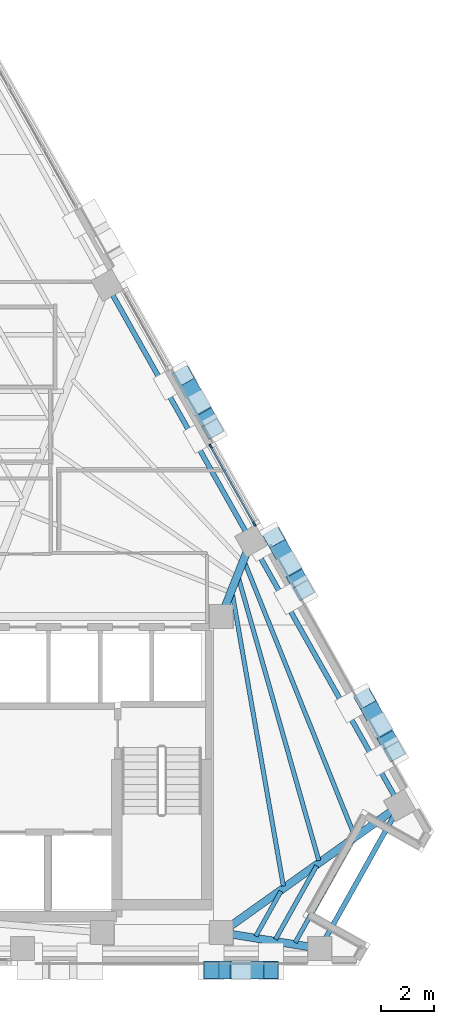
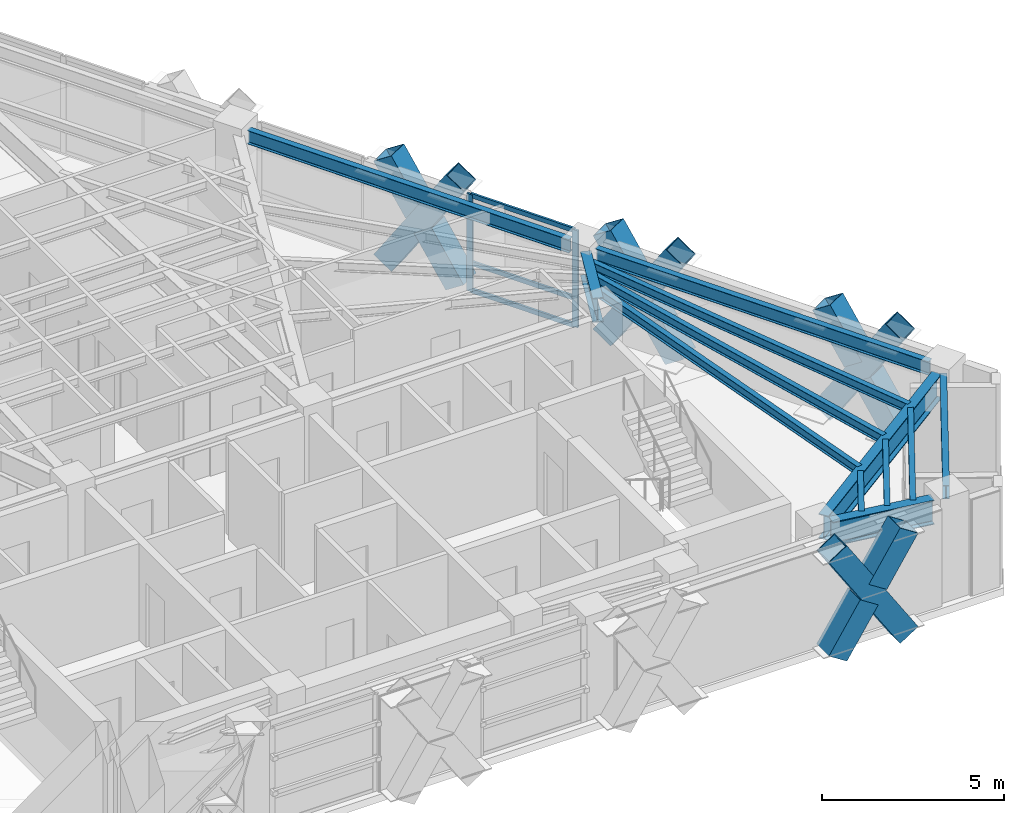
# One storey, part 5 of 15: 17 members, 12 beams, 1 element without a shape of its own.
"""IFC4 building model written with IfcOpenShell, lengths in metres."""

from ifc_helpers import new_model, si_unit, direction, frame, origin, origin_2d, place, context, subcontext, project, spatial, rectangle, hollow_rectangle, i_section, extrude, material, material_profile, profile_set, type_object, element, aggregate, save


model = new_model("IFC4")

# Units and contexts
model_context = context("Model", 3, precision=1e-05, world=origin(), true_north=direction((0.0, 1.0)))
body_context = subcontext(model_context, "Body", "Model", "MODEL_VIEW")
ifc_project = project(units=[si_unit("LENGTHUNIT", "METRE"), si_unit("AREAUNIT", "SQUARE_METRE"), si_unit("VOLUMEUNIT", "CUBIC_METRE"), si_unit("PLANEANGLEUNIT", "RADIAN"), si_unit("MASSUNIT", "GRAM", prefix="KILO")], contexts=[model_context])

# Site, building, storey
site_placement = place(None, origin())
site = spatial("IfcSite", under=ifc_project, at=site_placement, CompositionType="ELEMENT")
building_placement = place(site_placement, origin())
building = spatial("IfcBuilding", under=site, at=building_placement, Name="Quenlor Broadcast Tower", CompositionType="ELEMENT")
storey_placement = place(building_placement, frame((0.0, 0.0, 183.39990234375)))
storey = spatial("IfcBuildingStorey", under=building, at=storey_placement, Name="L50", CompositionType="ELEMENT", Elevation=183.39990234375)

# Curtain wall, members
ifc_material_1 = material(Name="Architectural Terracotta and Low-E Glazing", Category="masonry")
curtain_wall_type = type_object("IfcCurtainWallType", Name="Unitised Terracotta Curtain Wall System Z4", PredefinedType="NOTDEFINED", material=ifc_material_1)
curtain_wall_placement = place(storey_placement, origin())
curtain_wall = element("IfcCurtainWall", 1, at=curtain_wall_placement, inside=storey, type_object=curtain_wall_type, Name="L50 Curtain Wall CW4 (L50-NE-G2)", PredefinedType="NOTDEFINED")
ifc_material_2 = material(Name="Aluminium 6063-T6", Category="aluminium")
ifc_material_profile_1 = material_profile(ifc_material_2, rectangle(XDim=0.068115234375, YDim=0.179931640625, at=origin_2d()))
ifc_profile_set_1 = profile_set([ifc_material_profile_1], Name="Aluminium 6063-T6 MULL68x180")
member_type_1 = type_object("IfcMemberType", Name="CW4 Aluminium Mullion MULL_CW4", PredefinedType="MULLION", material=ifc_profile_set_1)
member_1_placement = place(storey_placement, frame((12.55126953125, 1.627685546875, 0.0), z_axis=(0.0, 0.0, 1.0), x_axis=(0.871577871382, 0.490257089819, 0.0)))
member_1 = element("IfcMember", 2, at=member_1_placement, type_object=member_type_1, Name="CW4 mullion 1", PredefinedType="MULLION", context=body_context, shape_type="SweptSolid", body=[
    extrude(rectangle(XDim=0.068115234375, YDim=0.179931640625, at=origin_2d()), origin(), (0.0, 0.0, 1.0), 3.25),
])
member_2_placement = place(storey_placement, frame((14.20068359375, -1.3046875, 0.0), z_axis=(0.0, 0.0, 1.0), x_axis=(0.871577871382, 0.490257089819, 0.0)))
member_2 = element("IfcMember", 3, at=member_2_placement, type_object=member_type_1, Name="CW4 mullion 2", PredefinedType="MULLION", context=body_context, shape_type="SweptSolid", body=[
    extrude(rectangle(XDim=0.068115234375, YDim=0.179931640625, at=origin_2d()), origin(), (0.0, 0.0, 1.0), 3.25),
])
ifc_material_3 = material(Name="Aluminium 6063-T6", Category="aluminium")
ifc_material_profile_2 = material_profile(ifc_material_3, rectangle(XDim=0.068115234375, YDim=0.14990234375, at=origin_2d()))
ifc_profile_set_2 = profile_set([ifc_material_profile_2], Name="Aluminium 6063-T6 TRAN68x150")
member_type_2 = type_object("IfcMemberType", Name="CW4 Aluminium Transom TRAN_CW4", PredefinedType="USERDEFINED", material=ifc_profile_set_2)
member_3_placement = place(storey_placement, frame((12.568115234375, 1.597900390625, 0.0341796875), z_axis=(0.490233108043, -0.871591360546, 0.0), x_axis=(0.871591360546, 0.490233108043, 0.0)))
member_3 = element("IfcMember", 4, at=member_3_placement, type_object=member_type_2, Name="CW4 transom 1.1", ObjectType="TRANSOM", PredefinedType="USERDEFINED", context=body_context, shape_type="SweptSolid", body=[
    extrude(rectangle(XDim=0.068115234375, YDim=0.14990234375, at=origin_2d()), origin(), (0.0, 0.0, 1.0), 3.29638671875),
])
member_4_placement = place(storey_placement, frame((12.568115234375, 1.597900390625, 0.9501953125), z_axis=(0.490233108043, -0.871591360546, 0.0), x_axis=(0.871591360546, 0.490233108043, 0.0)))
member_4 = element("IfcMember", 5, at=member_4_placement, type_object=member_type_2, Name="CW4 transom 1.2", ObjectType="TRANSOM", PredefinedType="USERDEFINED", context=body_context, shape_type="SweptSolid", body=[
    extrude(rectangle(XDim=0.068115234375, YDim=0.14990234375, at=origin_2d()), origin(), (0.0, 0.0, 1.0), 3.29638671875),
])
member_5_placement = place(storey_placement, frame((12.568115234375, 1.597900390625, 3.216064453125), z_axis=(0.490233108043, -0.871591360546, 0.0), x_axis=(0.871591360546, 0.490233108043, 0.0)))
member_5 = element("IfcMember", 6, at=member_5_placement, type_object=member_type_2, Name="CW4 transom 1.3", ObjectType="TRANSOM", PredefinedType="USERDEFINED", context=body_context, shape_type="SweptSolid", body=[
    extrude(rectangle(XDim=0.068115234375, YDim=0.14990234375, at=origin_2d()), origin(), (0.0, 0.0, 1.0), 3.29638671875),
])
aggregate(curtain_wall, [member_1, member_2, member_3, member_4, member_5])

# Members
ifc_material_4 = material(Name="Steel S355", Category="steel")
ifc_material_profile_3 = material_profile(ifc_material_4, hollow_rectangle(XDim=0.679931640625, YDim=0.679931640625, WallThickness=0.02490234375, at=origin_2d()))
ifc_profile_set_3 = profile_set([ifc_material_profile_3], Name="Steel S355 RHS680x680x25")
member_type_3 = type_object("IfcMemberType", Name="Perimeter Diagonal Lattice Brace Z3-Z4 Steel S355 RHS680x25", PredefinedType="BRACE", material=ifc_profile_set_3)
member_6_placement = place(storey_placement, frame((14.828857421875, -18.169921875, -0.119873046875), z_axis=(-0.541794306908, 0.0, 0.840511111766), x_axis=(0.0, -1.0, 0.0)))
element("IfcMember", 7, at=member_6_placement, inside=storey, type_object=member_type_3, Name="L50 Perimeter Diamond Lattice S-C1XA", PredefinedType="BRACE", context=body_context, shape_type="SweptSolid", body=[
    extrude(hollow_rectangle(XDim=0.679931640625, YDim=0.679931640625, WallThickness=0.02490234375, at=origin_2d()), origin(), (0.0, 0.0, 1.0), 4.1640625),
])
member_7_placement = place(storey_placement, frame((12.57275390625, -18.169921875, -0.119873046875), z_axis=(0.54184151587, 0.0, 0.840480678945), x_axis=(0.0, 1.0, 0.0)))
element("IfcMember", 8, at=member_7_placement, inside=storey, type_object=member_type_3, Name="L50 Perimeter Diamond Lattice S-C1XB1", PredefinedType="BRACE", context=body_context, shape_type="SweptSolid", body=[
    extrude(hollow_rectangle(XDim=0.679931640625, YDim=0.679931640625, WallThickness=0.02490234375, at=origin_2d()), origin(), (0.0, 0.0, 1.0), 1.83203125),
])
member_8_placement = place(storey_placement, frame((13.836181640625, -18.169921875, 1.840087890625), z_axis=(0.541780832962, 0.0, 0.840519796932), x_axis=(0.0, 1.0, 0.0)))
element("IfcMember", 9, at=member_8_placement, inside=storey, type_object=member_type_3, Name="L50 Perimeter Diamond Lattice S-C1XB2", PredefinedType="BRACE", context=body_context, shape_type="SweptSolid", body=[
    extrude(hollow_rectangle(XDim=0.679931640625, YDim=0.679931640625, WallThickness=0.02490234375, at=origin_2d()), origin(), (0.0, 0.0, 1.0), 1.832275390625),
])
member_9_placement = place(storey_placement, frame((11.508544921875, 4.287109375, -0.119873046875), z_axis=(0.269493020061, -0.479144022478, 0.835340959047), x_axis=(0.871595351467, 0.490226012469, 0.0)))
element("IfcMember", 10, at=member_9_placement, inside=storey, type_object=member_type_3, Name="L50 Perimeter Diamond Lattice NE-C3XA", PredefinedType="BRACE", context=body_context, shape_type="SweptSolid", body=[
    extrude(hollow_rectangle(XDim=0.679931640625, YDim=0.679931640625, WallThickness=0.02490234375, at=origin_2d()), origin(), (0.0, 0.0, 1.0), 4.18994140625),
])
for number, where, z_axis, x_axis, name in (
    (11, (12.6376953125, 2.279541015625, -0.119873046875), (-0.269535527865, 0.479130165145, 0.835335192642), (-0.871556252289, -0.490295522207, 0.0), "L50 Perimeter Diamond Lattice NE-C3XB1"),
    (12, (12.005859375, 3.403076171875, 1.8388671875), (-0.269535527865, 0.479130165145, 0.835335192642), (-0.871556252289, -0.490295522207, 0.0), "L50 Perimeter Diamond Lattice NE-C3XB2"),
):
    element("IfcMember", number, at=place(storey_placement, frame(where, z_axis=z_axis, x_axis=x_axis)), inside=storey, type_object=member_type_3, Name=name, PredefinedType="BRACE", context=body_context, shape_type="SweptSolid", body=[
        extrude(hollow_rectangle(XDim=0.679931640625, YDim=0.679931640625, WallThickness=0.02490234375, at=origin_2d()), origin(), (0.0, 0.0, 1.0), 1.844970703125),
    ])
member_10_placement = place(storey_placement, frame((14.9375, -1.80908203125, -0.119873046875), z_axis=(0.269547055694, -0.479136497832, 0.835327840559), x_axis=(0.871550060774, 0.49030652817, 0.0)))
element("IfcMember", 13, at=member_10_placement, inside=storey, type_object=member_type_3, Name="L50 Perimeter Diamond Lattice NE-C4XA", PredefinedType="BRACE", context=body_context, shape_type="SweptSolid", body=[
    extrude(hollow_rectangle(XDim=0.679931640625, YDim=0.679931640625, WallThickness=0.02490234375, at=origin_2d()), origin(), (0.0, 0.0, 1.0), 4.18994140625),
])
for number, where, z_axis, x_axis, name in (
    (14, (16.06689453125, -3.816650390625, -0.119873046875), (-0.269535527865, 0.479130165145, 0.835335192642), (-0.871556252289, -0.490295522207, 0.0), "L50 Perimeter Diamond Lattice NE-C4XB1"),
    (15, (15.434814453125, -2.693115234375, 1.8388671875), (-0.269535527865, 0.479130165145, 0.835335192642), (-0.871556252289, -0.490295522207, 0.0), "L50 Perimeter Diamond Lattice NE-C4XB2"),
):
    element("IfcMember", number, at=place(storey_placement, frame(where, z_axis=z_axis, x_axis=x_axis)), inside=storey, type_object=member_type_3, Name=name, PredefinedType="BRACE", context=body_context, shape_type="SweptSolid", body=[
        extrude(hollow_rectangle(XDim=0.679931640625, YDim=0.679931640625, WallThickness=0.02490234375, at=origin_2d()), origin(), (0.0, 0.0, 1.0), 1.844970703125),
    ])
member_11_placement = place(storey_placement, frame((18.36669921875, -7.9052734375, -0.119873046875), z_axis=(0.269547055694, -0.479136497832, 0.835327840559), x_axis=(0.871550060774, 0.49030652817, 0.0)))
element("IfcMember", 16, at=member_11_placement, inside=storey, type_object=member_type_3, Name="L50 Perimeter Diamond Lattice NE-C5XA", PredefinedType="BRACE", context=body_context, shape_type="SweptSolid", body=[
    extrude(hollow_rectangle(XDim=0.679931640625, YDim=0.679931640625, WallThickness=0.02490234375, at=origin_2d()), origin(), (0.0, 0.0, 1.0), 4.18994140625),
])
for number, where, z_axis, x_axis, name in (
    (17, (19.49609375, -9.912841796875, -0.119873046875), (-0.269535527865, 0.479130165145, 0.835335192642), (-0.871556252289, -0.490295522207, 0.0), "L50 Perimeter Diamond Lattice NE-C5XB1"),
    (18, (18.864013671875, -8.789306640625, 1.8388671875), (-0.269535527865, 0.479130165145, 0.835335192642), (-0.871556252289, -0.490295522207, 0.0), "L50 Perimeter Diamond Lattice NE-C5XB2"),
):
    element("IfcMember", number, at=place(storey_placement, frame(where, z_axis=z_axis, x_axis=x_axis)), inside=storey, type_object=member_type_3, Name=name, PredefinedType="BRACE", context=body_context, shape_type="SweptSolid", body=[
        extrude(hollow_rectangle(XDim=0.679931640625, YDim=0.679931640625, WallThickness=0.02490234375, at=origin_2d()), origin(), (0.0, 0.0, 1.0), 1.844970703125),
    ])

# Beams
ifc_material_5 = material(Name="Steel S355", Category="steel")
ifc_material_profile_4 = material_profile(ifc_material_5, i_section(OverallWidth=0.18994140625, OverallDepth=0.453857421875, WebThickness=0.008544921875, FlangeThickness=0.0126953125, FilletRadius=0.011474609375, at=origin_2d()))
ifc_profile_set_4 = profile_set([ifc_material_profile_4], Name="Steel S355 460UB67.1")
beam_type_1 = type_object("IfcBeamType", Name="Perimeter Spandrel Beam Z4 Steel S355 460UB67.1", PredefinedType="SPANDREL", material=ifc_profile_set_4)
beam_1_placement = place(storey_placement, frame((16.875732421875, -16.991943359375, 3.023193359375), z_axis=(0.487647250206, 0.8730407547, 0.0), x_axis=(-0.8730407547, 0.487647250206, 0.0)))
element("IfcBeam", 19, at=beam_1_placement, inside=storey, type_object=beam_type_1, Name="L50 Spandrel Beam S4-NE1", PredefinedType="SPANDREL", context=body_context, shape_type="SweptSolid", body=[
    extrude(i_section(OverallWidth=0.18994140625, OverallDepth=0.453857421875, WebThickness=0.008544921875, FlangeThickness=0.0126953125, FilletRadius=0.011474609375, at=origin_2d()), origin(), (0.0, 0.0, 1.0), 5.37451171875),
])
beam_2_placement = place(storey_placement, frame((19.49560546875, -11.58447265625, 3.023193359375), z_axis=(-0.490272131974, 0.871569410093, 0.0), x_axis=(-0.871569410093, -0.490272131974, 0.0)))
element("IfcBeam", 20, at=beam_2_placement, inside=storey, type_object=beam_type_1, Name="L50 Spandrel Beam NE1-NE2", PredefinedType="SPANDREL", context=body_context, shape_type="SweptSolid", body=[
    extrude(i_section(OverallWidth=0.18994140625, OverallDepth=0.453857421875, WebThickness=0.008544921875, FlangeThickness=0.0126953125, FilletRadius=0.011474609375, at=origin_2d()), origin(), (0.0, 0.0, 1.0), 10.6416015625),
])
beam_3_placement = place(storey_placement, frame((13.87646484375, -1.594970703125, 3.023193359375), z_axis=(-0.490263496537, 0.871574267612, 0.0), x_axis=(-0.871574267612, -0.490263496537, 0.0)))
element("IfcBeam", 21, at=beam_3_placement, inside=storey, type_object=beam_type_1, Name="L50 Spandrel Beam NE2-NE3", PredefinedType="SPANDREL", context=body_context, shape_type="SweptSolid", body=[
    extrude(i_section(OverallWidth=0.18994140625, OverallDepth=0.453857421875, WebThickness=0.008544921875, FlangeThickness=0.0126953125, FilletRadius=0.011474609375, at=origin_2d()), origin(), (0.0, 0.0, 1.0), 10.271728515625),
])
ifc_material_6 = material(Name="Steel S355", Category="steel")
ifc_material_profile_5 = material_profile(ifc_material_6, i_section(OverallWidth=0.300048828125, OverallDepth=0.81591796875, WebThickness=0.013916015625, FlangeThickness=0.028076171875, FilletRadius=0.013916015625, at=origin_2d()))
ifc_profile_set_5 = profile_set([ifc_material_profile_5], Name="Steel S355 800WB192")
beam_type_2 = type_object("IfcBeamType", Name="Sky Lobby Primary Girder Steel S355 800WB192", PredefinedType="BEAM", material=ifc_profile_set_5)
beam_4_placement = place(storey_placement, frame((16.27099609375, -17.284912109375, 2.842041015625), z_axis=(-0.987268490875, 0.159062650942, 0.0), x_axis=(-0.159062650942, -0.987268490875, 0.0)))
element("IfcBeam", 22, at=beam_4_placement, inside=storey, type_object=beam_type_2, Name="L50 Primary Radial Beam S4", PredefinedType="BEAM", context=body_context, shape_type="SweptSolid", body=[
    extrude(i_section(OverallWidth=0.300048828125, OverallDepth=0.81591796875, WebThickness=0.013916015625, FlangeThickness=0.028076171875, FilletRadius=0.013916015625, at=origin_2d()), origin(), (0.0, 0.0, 1.0), 2.98388671875),
])
beam_5_placement = place(storey_placement, frame((19.362548828125, -12.1796875, 2.842041015625), z_axis=(-0.814329531787, -0.580402802938, 0.0), x_axis=(0.580402802938, -0.814329531787, 0.0)))
element("IfcBeam", 23, at=beam_5_placement, inside=storey, type_object=beam_type_2, Name="L50 Primary Radial Beam NE1", PredefinedType="BEAM", context=body_context, shape_type="SweptSolid", body=[
    extrude(i_section(OverallWidth=0.300048828125, OverallDepth=0.81591796875, WebThickness=0.013916015625, FlangeThickness=0.028076171875, FilletRadius=0.013916015625, at=origin_2d()), origin(), (0.0, 0.0, 1.0), 7.49462890625),
])
beam_6_placement = place(storey_placement, frame((13.926513671875, -2.33349609375, 2.842041015625), z_axis=(-0.368110359783, -0.92978210513, 0.0), x_axis=(0.92978210513, -0.368110359783, 0.0)))
element("IfcBeam", 24, at=beam_6_placement, inside=storey, type_object=beam_type_2, Name="L50 Primary Radial Beam NE2", PredefinedType="BEAM", context=body_context, shape_type="SweptSolid", body=[
    extrude(i_section(OverallWidth=0.300048828125, OverallDepth=0.81591796875, WebThickness=0.013916015625, FlangeThickness=0.028076171875, FilletRadius=0.013916015625, at=origin_2d()), origin(), (0.0, 0.0, 1.0), 2.27294921875),
])
ifc_material_7 = material(Name="Steel S355", Category="steel")
ifc_material_profile_6 = material_profile(ifc_material_7, i_section(OverallWidth=0.166015625, OverallDepth=0.30712890625, WebThickness=0.006591796875, FlangeThickness=0.01171875, FilletRadius=0.011474609375, at=origin_2d()))
ifc_profile_set_6 = profile_set([ifc_material_profile_6], Name="Steel S355 310UB46.2")
beam_type_3 = type_object("IfcBeamType", Name="Tower Composite Joist Z4-Z5 Steel S355 310UB46.2", PredefinedType="JOIST", material=ifc_profile_set_6)
beam_7_placement = place(storey_placement, frame((15.297607421875, -14.98828125, 3.096435546875), z_axis=(-0.172003691938, 0.985096304916, 0.0), x_axis=(-0.985096304916, -0.172003691938, 0.0)))
element("IfcBeam", 25, at=beam_7_placement, inside=storey, type_object=beam_type_3, Name="L50 Secondary Composite Joist 16", PredefinedType="JOIST", context=body_context, shape_type="SweptSolid", body=[
    extrude(i_section(OverallWidth=0.166015625, OverallDepth=0.30712890625, WebThickness=0.006591796875, FlangeThickness=0.01171875, FilletRadius=0.011474609375, at=origin_2d()), origin(), (0.0, 0.0, 1.0), 11.274169921875),
])
beam_8_placement = place(storey_placement, frame((16.638671875, -14.028564453125, 3.096435546875), z_axis=(-0.273447576454, 0.961886907558, 0.0), x_axis=(-0.961886907558, -0.273447576454, 0.0)))
element("IfcBeam", 26, at=beam_8_placement, inside=storey, type_object=beam_type_3, Name="L50 Secondary Composite Joist 17", PredefinedType="JOIST", context=body_context, shape_type="SweptSolid", body=[
    extrude(i_section(OverallWidth=0.166015625, OverallDepth=0.30712890625, WebThickness=0.006591796875, FlangeThickness=0.01171875, FilletRadius=0.011474609375, at=origin_2d()), origin(), (0.0, 0.0, 1.0), 11.142333984375),
])
beam_9_placement = place(storey_placement, frame((17.97998046875, -13.069580078125, 3.096435546875), z_axis=(-0.373094895103, 0.927793187757, 0.0), x_axis=(-0.927793187757, -0.373094895103, 0.0)))
element("IfcBeam", 27, at=beam_9_placement, inside=storey, type_object=beam_type_3, Name="L50 Secondary Composite Joist 18", PredefinedType="JOIST", context=body_context, shape_type="SweptSolid", body=[
    extrude(i_section(OverallWidth=0.166015625, OverallDepth=0.30712890625, WebThickness=0.006591796875, FlangeThickness=0.01171875, FilletRadius=0.011474609375, at=origin_2d()), origin(), (0.0, 0.0, 1.0), 11.13525390625),
])
beam_10_placement = place(storey_placement, frame((14.255859375, -16.88427734375, 3.096435546875), z_axis=(0.487590799665, 0.873072283423, 0.0), x_axis=(-0.873072283423, 0.487590799665, 0.0)))
element("IfcBeam", 28, at=beam_10_placement, inside=storey, type_object=beam_type_3, Name="L50 Secondary Composite Joist 22", PredefinedType="JOIST", context=body_context, shape_type="SweptSolid", body=[
    extrude(i_section(OverallWidth=0.166015625, OverallDepth=0.30712890625, WebThickness=0.006591796875, FlangeThickness=0.01171875, FilletRadius=0.011474609375, at=origin_2d()), origin(), (0.0, 0.0, 1.0), 1.9462890625),
])
beam_11_placement = place(storey_placement, frame((15.0009765625, -17.004150390625, 3.096435546875), z_axis=(0.487646119388, 0.87304138633, 0.0), x_axis=(-0.87304138633, 0.487646119388, 0.0)))
element("IfcBeam", 29, at=beam_11_placement, inside=storey, type_object=beam_type_3, Name="L50 Secondary Composite Joist 23", PredefinedType="JOIST", context=body_context, shape_type="SweptSolid", body=[
    extrude(i_section(OverallWidth=0.166015625, OverallDepth=0.30712890625, WebThickness=0.006591796875, FlangeThickness=0.01171875, FilletRadius=0.011474609375, at=origin_2d()), origin(), (0.0, 0.0, 1.0), 3.18505859375),
])
beam_12_placement = place(storey_placement, frame((15.74609375, -17.124267578125, 3.096435546875), z_axis=(0.487604899573, 0.873064408799, 0.0), x_axis=(-0.873064408799, 0.487604899573, 0.0)))
element("IfcBeam", 30, at=beam_12_placement, inside=storey, type_object=beam_type_3, Name="L50 Secondary Composite Joist 24", PredefinedType="JOIST", context=body_context, shape_type="SweptSolid", body=[
    extrude(i_section(OverallWidth=0.166015625, OverallDepth=0.30712890625, WebThickness=0.006591796875, FlangeThickness=0.01171875, FilletRadius=0.011474609375, at=origin_2d()), origin(), (0.0, 0.0, 1.0), 4.424072265625),
])

save(model, "model.ifc")
